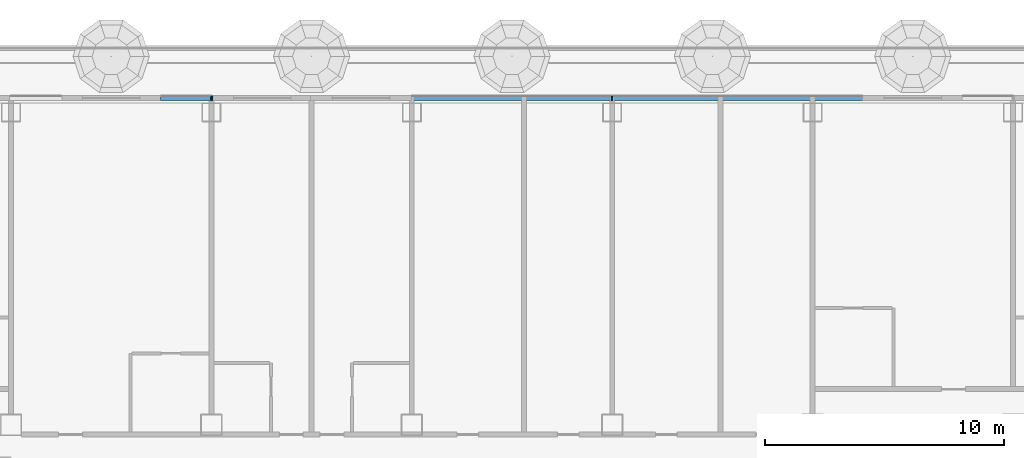
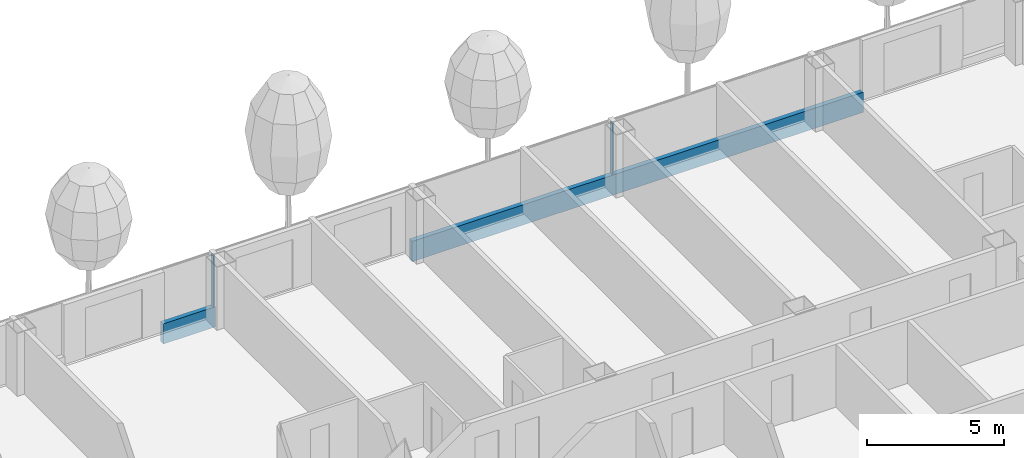
# One storey, part 6 of 33: 4 members, 1 element without a shape of its own.
"""IFC4 building model written with IfcOpenShell, lengths in metres."""

from ifc_helpers import new_model, si_unit, direction, frame, origin, origin_2d, place, context, subcontext, project, spatial, rectangle, extrude, material, layer, layer_set, material_profile, profile_set, type_object, element, aggregate, save


model = new_model("IFC4")

# Units and contexts
model_context = context("Model", 3, precision=1e-05, world=origin(), true_north=direction((0.0, 1.0)))
body_context = subcontext(model_context, "Body", "Model", "MODEL_VIEW")
ifc_project = project(units=[si_unit("LENGTHUNIT", "METRE"), si_unit("AREAUNIT", "SQUARE_METRE"), si_unit("VOLUMEUNIT", "CUBIC_METRE"), si_unit("PLANEANGLEUNIT", "RADIAN"), si_unit("MASSUNIT", "GRAM", prefix="KILO")], contexts=[model_context])

# Site, building, storey
site_placement = place(None, origin())
site = spatial("IfcSite", under=ifc_project, at=site_placement, CompositionType="ELEMENT")
building_placement = place(site_placement, origin())
building = spatial("IfcBuilding", under=site, at=building_placement, Name="Hakoniwa Tower and Hamabe Station Hall", CompositionType="ELEMENT")
storey_placement = place(building_placement, frame((0.0, 0.0, 81.800048828125)))
storey = spatial("IfcBuildingStorey", under=building, at=storey_placement, Name="L22", CompositionType="ELEMENT", Elevation=81.800048828125)

# Curtain wall, members
ifc_material_1 = material(Name="Dark low-e laminated glass", Category="glass")
ifc_layer = layer(ifc_material_1, 0.199951171875)
ifc_layer_set = layer_set([ifc_layer], Name="CW-1 UNITISED GUEST")
curtain_wall_type = type_object("IfcCurtainWallType", Name="CW-1 UNITISED GUEST", PredefinedType="NOTDEFINED", material=ifc_layer_set)
curtain_wall_placement = place(storey_placement, origin())
curtain_wall = element("IfcCurtainWall", 1, at=curtain_wall_placement, inside=storey, type_object=curtain_wall_type, Name="CW-1 curtain wall", PredefinedType="NOTDEFINED")
ifc_material_2 = material(Name="Aluminium 6063-T5 black anodised", Category="aluminium")
ifc_material_profile_1 = material_profile(ifc_material_2, rectangle(XDim=0.199951171875, YDim=0.89990234375, at=origin_2d()), Name="CW SLAB-EDGE BAND 900X200")
ifc_profile_set_1 = profile_set([ifc_material_profile_1], Name="Aluminium 6063-T5 black anodised")
member_type_1 = type_object("IfcMemberType", Name="CW SLAB-EDGE BAND 900X200", PredefinedType="USERDEFINED", material=ifc_profile_set_1)
member_1_placement = place(storey_placement, frame((18.929931640625, 23.449951171875, -0.10009765625), z_axis=(-1.0, 0.0, 0.0), x_axis=(0.0, -1.0, 0.0)))
member_1 = element("IfcMember", 2, at=member_1_placement, type_object=member_type_1, Name="CW-1 transom", ObjectType="TRANSOM", PredefinedType="USERDEFINED", context=body_context, shape_type="SweptSolid", body=[
    extrude(rectangle(XDim=0.199951171875, YDim=0.89990234375, at=origin_2d()), origin(), (0.0, 0.0, 1.0), 18.989990234375),
])
member_2_placement = place(storey_placement, frame((-8.340087890625, 23.449951171875, -0.10009765625), z_axis=(-1.0, 0.0, 0.0), x_axis=(0.0, -1.0, 0.0)))
member_2 = element("IfcMember", 3, at=member_2_placement, type_object=member_type_1, Name="CW-1 transom", ObjectType="TRANSOM", PredefinedType="USERDEFINED", context=body_context, shape_type="SweptSolid", body=[
    extrude(rectangle(XDim=0.199951171875, YDim=0.89990234375, at=origin_2d()), origin(), (0.0, 0.0, 1.0), 2.18994140625),
])
ifc_material_3 = material(Name="Aluminium 6063-T5 black anodised", Category="aluminium")
ifc_material_profile_2 = material_profile(ifc_material_3, rectangle(XDim=0.06005859375, YDim=0.179931640625, at=origin_2d()), Name="CW-1 MULLION 60X180")
ifc_profile_set_2 = profile_set([ifc_material_profile_2], Name="Aluminium 6063-T5 black anodised")
member_type_2 = type_object("IfcMemberType", Name="CW-1 MULLION 60X180", PredefinedType="MULLION", material=ifc_profile_set_2)
member_3_placement = place(storey_placement, frame((8.39990234375, 23.431884765625, 0.349853515625), z_axis=(0.0, 0.0, 1.0), x_axis=(-1.0, 0.0, 0.0)))
member_3 = element("IfcMember", 4, at=member_3_placement, type_object=member_type_2, Name="CW-1 mullion", PredefinedType="MULLION", context=body_context, shape_type="SweptSolid", body=[
    extrude(rectangle(XDim=0.06005859375, YDim=0.179931640625, at=origin_2d()), origin(), (0.0, 0.0, 1.0), 2.300048828125),
])
member_4_placement = place(storey_placement, frame((-8.39990234375, 23.431884765625, 0.349853515625), z_axis=(0.0, 0.0, 1.0), x_axis=(-1.0, 0.0, 0.0)))
member_4 = element("IfcMember", 5, at=member_4_placement, type_object=member_type_2, Name="CW-1 mullion", PredefinedType="MULLION", context=body_context, shape_type="SweptSolid", body=[
    extrude(rectangle(XDim=0.06005859375, YDim=0.179931640625, at=origin_2d()), origin(), (0.0, 0.0, 1.0), 2.300048828125),
])
aggregate(curtain_wall, [member_3, member_4, member_1, member_2])

save(model, "model.ifc")
